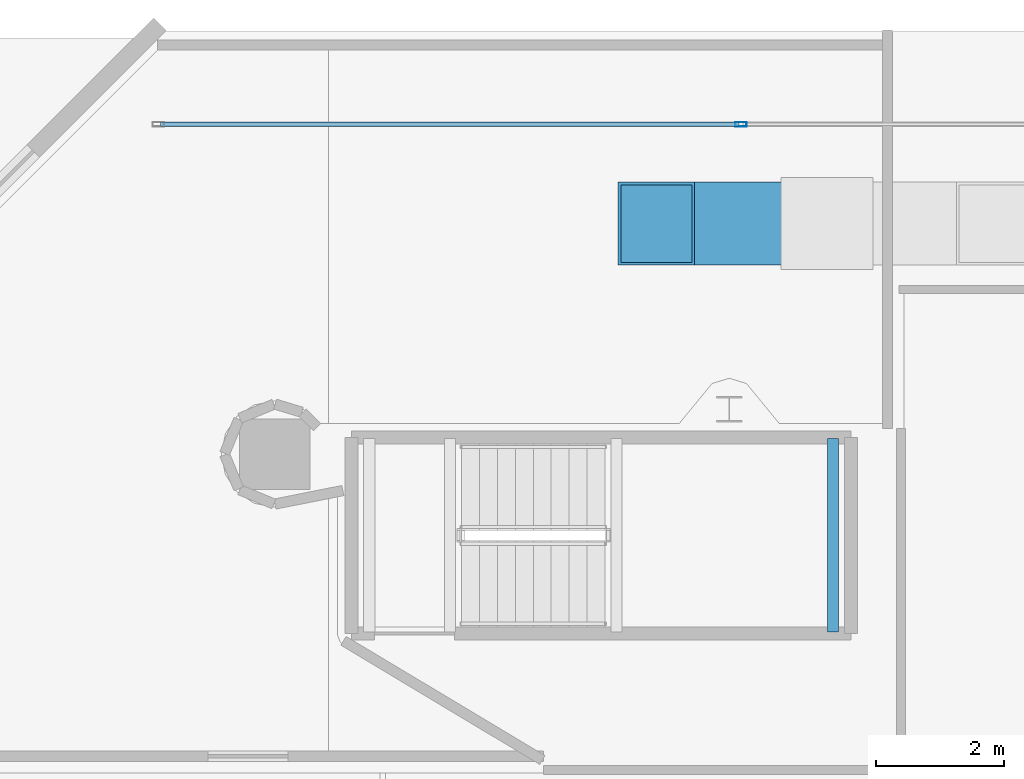
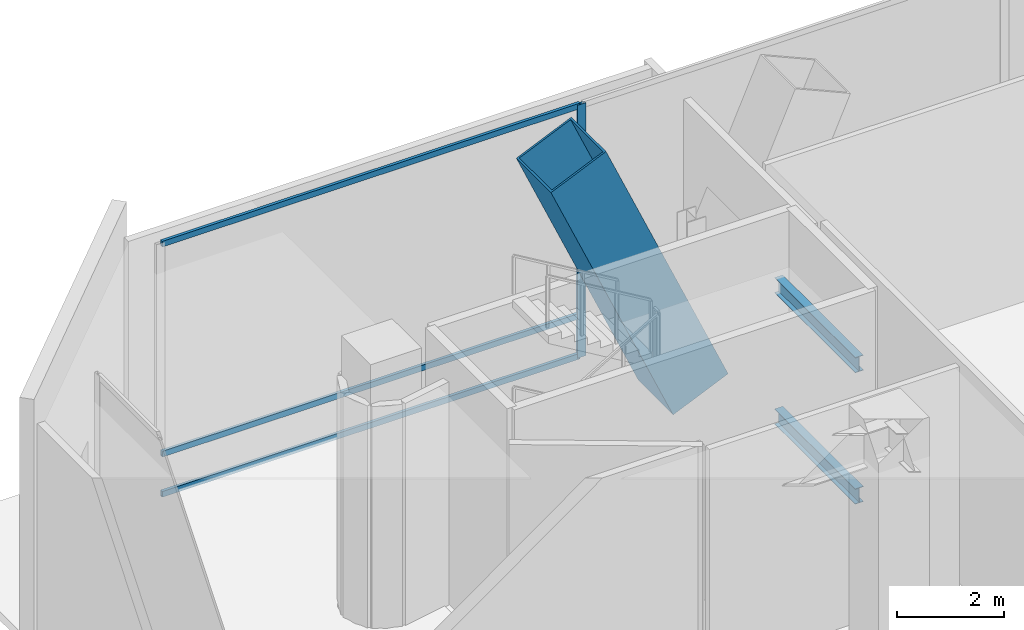
# One storey, part 16 of 40: 5 members, 2 beams, 1 element without a shape of its own.
"""IFC4 building model written with IfcOpenShell, lengths in metres."""

from ifc_helpers import new_model, si_unit, direction, frame, origin, origin_2d, place, context, subcontext, project, spatial, hollow_rectangle, i_section, extrude, material, layer, layer_set, material_profile, profile_set, type_object, element, aggregate, save


model = new_model("IFC4")

# Units and contexts
model_context = context("Model", 3, precision=1e-05, world=origin(), true_north=direction((0.0, 1.0)))
body_context = subcontext(model_context, "Body", "Model", "MODEL_VIEW")
ifc_project = project(units=[si_unit("LENGTHUNIT", "METRE"), si_unit("AREAUNIT", "SQUARE_METRE"), si_unit("VOLUMEUNIT", "CUBIC_METRE"), si_unit("PLANEANGLEUNIT", "RADIAN"), si_unit("MASSUNIT", "GRAM", prefix="KILO")], contexts=[model_context])

# Site, building, storey
site_placement = place(None, origin())
site = spatial("IfcSite", under=ifc_project, at=site_placement, CompositionType="ELEMENT")
building_placement = place(site_placement, origin())
building = spatial("IfcBuilding", under=site, at=building_placement, Name="Qianvela Tower", CompositionType="ELEMENT")
storey_placement = place(building_placement, origin())
storey = spatial("IfcBuildingStorey", under=building, at=storey_placement, Name="L00", CompositionType="ELEMENT", Elevation=0.0)

# Beams
ifc_material_1 = material(Name="Steel Q355B", Category="steel")
ifc_material_profile_1 = material_profile(ifc_material_1, i_section(OverallWidth=0.175048828125, OverallDepth=0.35009765625, WebThickness=0.007080078125, FlangeThickness=0.010986328125, at=origin_2d()), Name="HN350x175x7x11")
ifc_profile_set_1 = profile_set([ifc_material_profile_1], Name="Steel Q355B")
beam_type = type_object("IfcBeamType", Name="BM-HN350-JOIST", PredefinedType="JOIST", material=ifc_profile_set_1)
for number, where, z_axis, x_axis, name in (
    (1, (16.6201171875, 41.1201171875, 1.125), (0.0, 1.0, 0.0), (-1.0, 0.0, 0.0), "L00 Stair ST-3 Landing Support Beam 1.2"),
    (2, (16.6201171875, 41.1201171875, 4.125), (0.0, 1.0, 0.0), (-1.0, 0.0, 0.0), "L00 Stair ST-3 Landing Support Beam 3.2"),
):
    element("IfcBeam", number, at=place(storey_placement, frame(where, z_axis=z_axis, x_axis=x_axis)), inside=storey, type_object=beam_type, Name=name, PredefinedType="JOIST", context=body_context, shape_type="SweptSolid", body=[
        extrude(i_section(OverallWidth=0.175048828125, OverallDepth=0.35009765625, WebThickness=0.007080078125, FlangeThickness=0.010986328125, at=origin_2d()), origin(), (0.0, 0.0, 1.0), 3.019775390625),
    ])

# Curtain wall, members
ifc_material_2 = material(Name="Anodised Architectural Aluminium and Low-E Glass", Category="aluminium")
ifc_layer = layer(ifc_material_2, 0.199951171875)
ifc_layer_set = layer_set([ifc_layer], Name="Anodised Architectural Aluminium and Low-E Glass")
curtain_wall_type = type_object("IfcCurtainWallType", Name="CW-CONCOURSE", PredefinedType="USERDEFINED", material=ifc_layer_set)
curtain_wall_placement = place(storey_placement, origin())
curtain_wall = element("IfcCurtainWall", 3, at=curtain_wall_placement, inside=storey, type_object=curtain_wall_type, Name="L00 CW-CONCOURSE Curtain Wall 05B", ObjectType="CURTAIN_WALL_SYSTEM", PredefinedType="USERDEFINED")
ifc_material_3 = material(Name="Anodised Architectural Aluminium 6063-T6", Category="aluminium")
ifc_material_profile_2 = material_profile(ifc_material_3, hollow_rectangle(XDim=0.070068359375, YDim=0.179931640625, WallThickness=0.0048828125, at=origin_2d()), Name="ALU-MULL-70x180")
ifc_profile_set_2 = profile_set([ifc_material_profile_2], Name="Anodised Architectural Aluminium 6063-T6")
member_type_1 = type_object("IfcMemberType", Name="CW-CONCOURSE-MULL", PredefinedType="MULLION", material=ifc_profile_set_2)
member_1_placement = place(storey_placement, frame((15.183349609375, 49.050048828125, 0.0), z_axis=(0.0, 0.0, 1.0), x_axis=(0.0, -1.0, 0.0)))
member_1 = element("IfcMember", 4, at=member_1_placement, type_object=member_type_1, Name="CW-1 mullion 3", PredefinedType="MULLION", context=body_context, shape_type="SweptSolid", body=[
    extrude(hollow_rectangle(XDim=0.070068359375, YDim=0.179931640625, WallThickness=0.0048828125, at=origin_2d()), origin(), (0.0, 0.0, 1.0), 5.780029296875),
])
ifc_material_4 = material(Name="Anodised Architectural Aluminium 6063-T6", Category="aluminium")
ifc_material_profile_3 = material_profile(ifc_material_4, hollow_rectangle(XDim=0.06494140625, YDim=0.1298828125, WallThickness=0.00439453125, at=origin_2d()), Name="ALU-TRAN-65x130")
ifc_profile_set_3 = profile_set([ifc_material_profile_3], Name="Anodised Architectural Aluminium 6063-T6")
member_type_2 = type_object("IfcMemberType", Name="CW-CONCOURSE-TRAN", PredefinedType="USERDEFINED", material=ifc_profile_set_3)
member_2_placement = place(storey_placement, frame((15.1484375, 49.050048828125, 0.032470703125), z_axis=(-1.0, 0.0, 0.0), x_axis=(0.0, -1.0, 0.0)))
member_2 = element("IfcMember", 5, at=member_2_placement, type_object=member_type_2, Name="CW-1 transom 3.1", ObjectType="TRANSOM", PredefinedType="USERDEFINED", context=body_context, shape_type="SweptSolid", body=[
    extrude(hollow_rectangle(XDim=0.06494140625, YDim=0.1298828125, WallThickness=0.00439453125, at=origin_2d()), origin(), (0.0, 0.0, 1.0), 9.0283203125),
])
member_3_placement = place(storey_placement, frame((15.1484375, 49.050048828125, 0.949951171875), z_axis=(-1.0, 0.0, 0.0), x_axis=(0.0, -1.0, 0.0)))
member_3 = element("IfcMember", 6, at=member_3_placement, type_object=member_type_2, Name="CW-1 transom 3.2", ObjectType="TRANSOM", PredefinedType="USERDEFINED", context=body_context, shape_type="SweptSolid", body=[
    extrude(hollow_rectangle(XDim=0.06494140625, YDim=0.1298828125, WallThickness=0.00439453125, at=origin_2d()), origin(), (0.0, 0.0, 1.0), 9.0283203125),
])
member_4_placement = place(storey_placement, frame((15.1484375, 49.050048828125, 5.74755859375), z_axis=(-1.0, 0.0, 0.0), x_axis=(0.0, -1.0, 0.0)))
member_4 = element("IfcMember", 7, at=member_4_placement, type_object=member_type_2, Name="CW-1 transom 3.3", ObjectType="TRANSOM", PredefinedType="USERDEFINED", context=body_context, shape_type="SweptSolid", body=[
    extrude(hollow_rectangle(XDim=0.06494140625, YDim=0.1298828125, WallThickness=0.00439453125, at=origin_2d()), origin(), (0.0, 0.0, 1.0), 9.0283203125),
])
aggregate(curtain_wall, [member_1, member_2, member_3, member_4])

# Member
ifc_material_5 = material(Name="Steel Q420GJC", Category="steel")
ifc_material_profile_4 = material_profile(ifc_material_5, hollow_rectangle(XDim=1.300048828125, YDim=1.300048828125, WallThickness=0.044921875, at=origin_2d()), Name="VBOX-1300x1300x45")
ifc_profile_set_4 = profile_set([ifc_material_profile_4], Name="Steel Q420GJC")
member_type_3 = type_object("IfcMemberType", Name="MBR-VCOL-1300", PredefinedType="POST", material=ifc_profile_set_4)
member_5_placement = place(storey_placement, frame((16.5, 47.5, 0.0), z_axis=(-0.402662474024, 0.0, 0.91534853035), x_axis=(0.0, -1.0, 0.0)))
element("IfcMember", 8, at=member_5_placement, inside=storey, type_object=member_type_3, Name="L00 Concourse Inclined V-Column VC-N1 Leg L", PredefinedType="POST", context=body_context, shape_type="SweptSolid", body=[
    extrude(hollow_rectangle(XDim=1.300048828125, YDim=1.300048828125, WallThickness=0.044921875, at=origin_2d()), origin(), (0.0, 0.0, 1.0), 6.554931640625),
])

save(model, "model.ifc")
